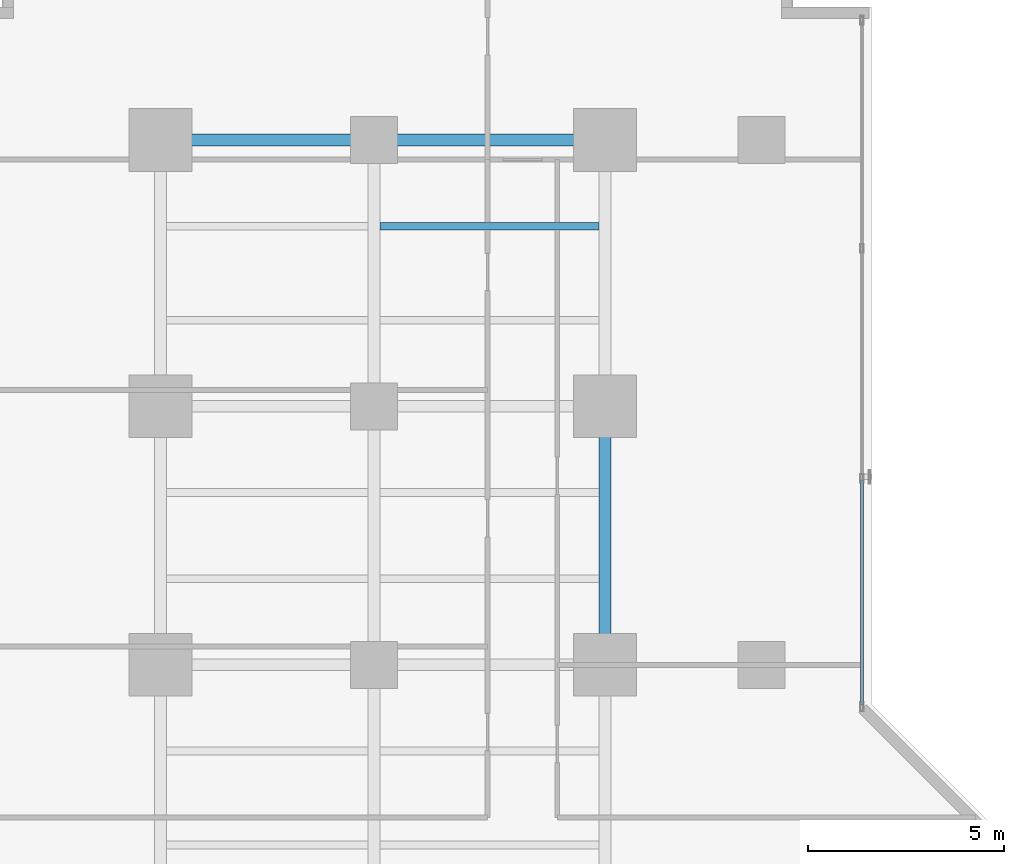
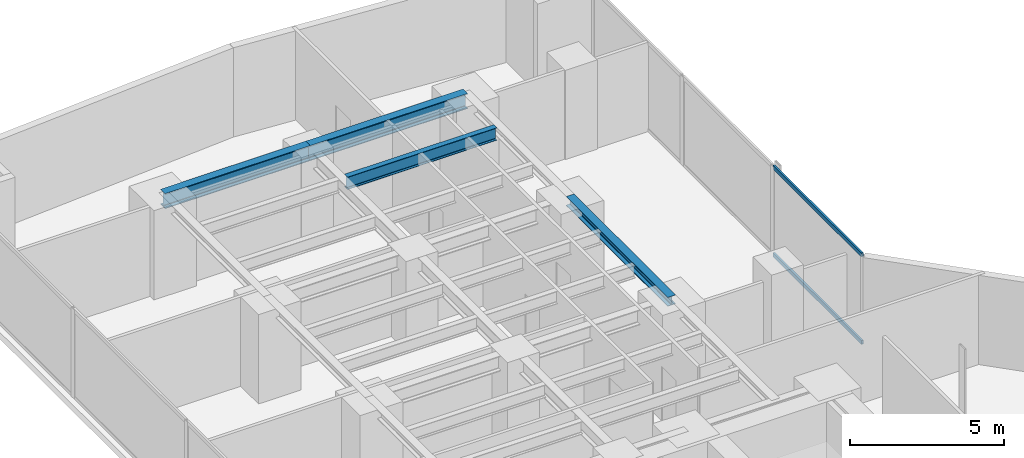
# One storey, part 18 of 28: 4 beams, 2 members, 1 element without a shape of its own.
"""IFC4 building model written with IfcOpenShell, lengths in metres."""

from ifc_helpers import new_model, si_unit, direction, frame, origin, origin_with_axes, origin_2d, place, context, subcontext, project, spatial, hollow_rectangle, i_section, extrude, source, transform, mapped, material, layer, layer_set, material_profile, profile_set, type_object, element, aggregate, save


model = new_model("IFC4")

# Units and contexts
model_context = context("Model", 3, precision=1e-05, world=origin(), true_north=direction((0.0, 1.0)))
body_context = subcontext(model_context, "Body", "Model", "MODEL_VIEW")
ifc_project = project(units=[si_unit("LENGTHUNIT", "METRE"), si_unit("AREAUNIT", "SQUARE_METRE"), si_unit("VOLUMEUNIT", "CUBIC_METRE"), si_unit("PLANEANGLEUNIT", "RADIAN"), si_unit("MASSUNIT", "GRAM", prefix="KILO")], contexts=[model_context])

# Site, building, storey
site_placement = place(None, origin())
site = spatial("IfcSite", under=ifc_project, at=site_placement, CompositionType="ELEMENT")
building_placement = place(site_placement, origin())
building = spatial("IfcBuilding", under=site, at=building_placement, Name="Kolvaren Waterfront Exchange", CompositionType="ELEMENT")
storey_placement = place(building_placement, frame((0.0, 0.0, 56.199951171875)))
storey = spatial("IfcBuildingStorey", under=building, at=storey_placement, Name="L14", CompositionType="ELEMENT", Elevation=56.199951171875)

# Beams
ifc_material_1 = material(Name="Steel S355", Category="steel")
ifc_material_profile_1 = material_profile(ifc_material_1, i_section(OverallWidth=0.300048828125, OverallDepth=0.360107421875, WebThickness=0.012451171875, FlangeThickness=0.0224609375, FilletRadius=0.027099609375, at=origin_2d()), Name="HEB360")
ifc_profile_set_1 = profile_set([ifc_material_profile_1], Name="Steel S355")
beam_type_1 = type_object("IfcBeamType", Name="STR-BM-HEB360", PredefinedType="SPANDREL", material=ifc_profile_set_1)
beam_1_placement = place(storey_placement, frame((18.800048828125, 31.199951171875, 3.360107421875), z_axis=(0.0, 1.0, 0.0), x_axis=(-1.0, 0.0, 0.0)))
element("IfcBeam", 1, at=beam_1_placement, inside=storey, type_object=beam_type_1, Name="L14 north-arm edge beam 2", PredefinedType="SPANDREL", context=body_context, shape_type="SweptSolid", body=[
    extrude(i_section(OverallWidth=0.300048828125, OverallDepth=0.360107421875, WebThickness=0.012451171875, FlangeThickness=0.0224609375, FilletRadius=0.027099609375, at=origin_2d()), origin(), (0.0, 0.0, 1.0), 6.60009765625),
])
ifc_material_profile_2 = material_profile(ifc_material_1, i_section(OverallWidth=0.300048828125, OverallDepth=0.60009765625, WebThickness=0.015380859375, FlangeThickness=0.030029296875, FilletRadius=0.027099609375, at=origin_2d()), Name="HEB600")
ifc_profile_set_2 = profile_set([ifc_material_profile_2], Name="Steel S355")
beam_type_2 = type_object("IfcBeamType", Name="STR-BM-HEB600", PredefinedType="BEAM", material=ifc_profile_set_2)
beam_2_placement = place(storey_placement, frame((7.449951171875, 44.60009765625, 3.239990234375), z_axis=(1.0, 0.0, 0.0), x_axis=(0.0, 1.0, 0.0)))
element("IfcBeam", 2, at=beam_2_placement, inside=storey, type_object=beam_type_2, Name="L14 north-arm girder 4A", PredefinedType="BEAM", context=body_context, shape_type="SweptSolid", body=[
    extrude(i_section(OverallWidth=0.300048828125, OverallDepth=0.60009765625, WebThickness=0.015380859375, FlangeThickness=0.030029296875, FilletRadius=0.027099609375, at=origin_2d()), origin(), (0.0, 0.0, 1.0), 5.449951171875),
])
beam_3_placement = place(storey_placement, frame((12.89990234375, 44.60009765625, 3.239990234375), z_axis=(1.0, 0.0, 0.0), x_axis=(0.0, 1.0, 0.0)))
element("IfcBeam", 3, at=beam_3_placement, inside=storey, type_object=beam_type_2, Name="L14 north-arm girder 4B", PredefinedType="BEAM", context=body_context, shape_type="SweptSolid", body=[
    extrude(i_section(OverallWidth=0.300048828125, OverallDepth=0.60009765625, WebThickness=0.015380859375, FlangeThickness=0.030029296875, FilletRadius=0.027099609375, at=origin_2d()), origin(), (0.0, 0.0, 1.0), 5.900146484375),
])
ifc_material_profile_3 = material_profile(ifc_material_1, i_section(OverallWidth=0.199951171875, OverallDepth=0.5, WebThickness=0.01025390625, FlangeThickness=0.01611328125, FilletRadius=0.02099609375, at=origin_2d()), Name="IPE500")
ifc_profile_set_3 = profile_set([ifc_material_profile_3], Name="Steel S355")
beam_type_3 = type_object("IfcBeamType", Name="STR-BM-IPE500", PredefinedType="JOIST", material=ifc_profile_set_3)
beam_4_placement = place(storey_placement, frame((13.052001953125, 42.39990234375, 3.2900390625), z_axis=(1.0, 0.0, 0.0), x_axis=(0.0, 1.0, 0.0)))
element("IfcBeam", 4, at=beam_4_placement, inside=storey, type_object=beam_type_3, Name="L14 north-arm composite joist 6B", PredefinedType="JOIST", context=body_context, shape_type="SweptSolid", body=[
    extrude(i_section(OverallWidth=0.199951171875, OverallDepth=0.5, WebThickness=0.01025390625, FlangeThickness=0.01611328125, FilletRadius=0.02099609375, at=origin_2d()), origin(), (0.0, 0.0, 1.0), 5.595947265625),
])

# Curtain wall, members
ifc_material_2 = material(Name="Anodised bronze aluminium 6063-T6", Category="aluminium")
ifc_layer = layer(ifc_material_2, 0.219970703125, Name="Anodised bronze aluminium 6063-T6")
ifc_layer_set = layer_set([ifc_layer], Name="Anodised bronze aluminium 6063-T6")
curtain_wall_type = type_object("IfcCurtainWallType", Name="ARC-CW-SYS1", PredefinedType="USERDEFINED", material=ifc_layer_set)
curtain_wall_placement = place(storey_placement, origin())
curtain_wall = element("IfcCurtainWall", 5, at=curtain_wall_placement, inside=storey, type_object=curtain_wall_type, Name="L14 stick curtain wall CW1 (CW-L14-NE)", ObjectType="STICK CURTAIN WALL", PredefinedType="USERDEFINED")
ifc_material_3 = material(Name="Anodised aluminium 6063-T6", Category="aluminium")
ifc_material_profile_4 = material_profile(ifc_material_3, hollow_rectangle(XDim=0.074951171875, YDim=0.159912109375, WallThickness=0.00439453125, at=origin_2d()), Name="ALU-TRN-160x75x4.5")
ifc_profile_set_4 = profile_set([ifc_material_profile_4], Name="Anodised aluminium 6063-T6")
member_type = type_object("IfcMemberType", Name="ARC-CWT-160", PredefinedType="USERDEFINED", material=ifc_profile_set_4)
shared_shape = source(origin_with_axes(), body_context, "Body", "SweptSolid", [
    extrude(hollow_rectangle(XDim=0.074951171875, YDim=0.159912109375, WallThickness=0.00439453125, at=origin_2d()), origin(), (0.0, 0.0, 1.0), 5.75),
])
member_1_placement = place(storey_placement, frame((25.360107421875, 30.169921875, 0.03759765625), z_axis=(0.0, 1.0, 0.0), x_axis=(-1.0, 0.0, 0.0)))
member_1 = element("IfcMember", 6, at=member_1_placement, type_object=member_type, Name="CW1 transom 1.1", ObjectType="TRANSOM", PredefinedType="USERDEFINED", context=body_context, shape_type="MappedRepresentation", body=[
    mapped(shared_shape, transform((0.0, 0.0, 0.0), x_axis=(1.0, 0.0, 0.0), y_axis=(0.0, 1.0, 0.0), z_axis=(0.0, 0.0, 1.0), scale=1.0)),
])
member_2_placement = place(storey_placement, frame((25.360107421875, 30.169921875, 3.50244140625), z_axis=(0.0, 1.0, 0.0), x_axis=(-1.0, 0.0, 0.0)))
member_2 = element("IfcMember", 7, at=member_2_placement, type_object=member_type, Name="CW1 transom 1.2", ObjectType="TRANSOM", PredefinedType="USERDEFINED", context=body_context, shape_type="MappedRepresentation", body=[
    mapped(shared_shape, transform((0.0, 0.0, 0.0), x_axis=(1.0, 0.0, 0.0), y_axis=(0.0, 1.0, 0.0), z_axis=(0.0, 0.0, 1.0), scale=1.0)),
])
aggregate(curtain_wall, [member_1, member_2])

save(model, "model.ifc")
